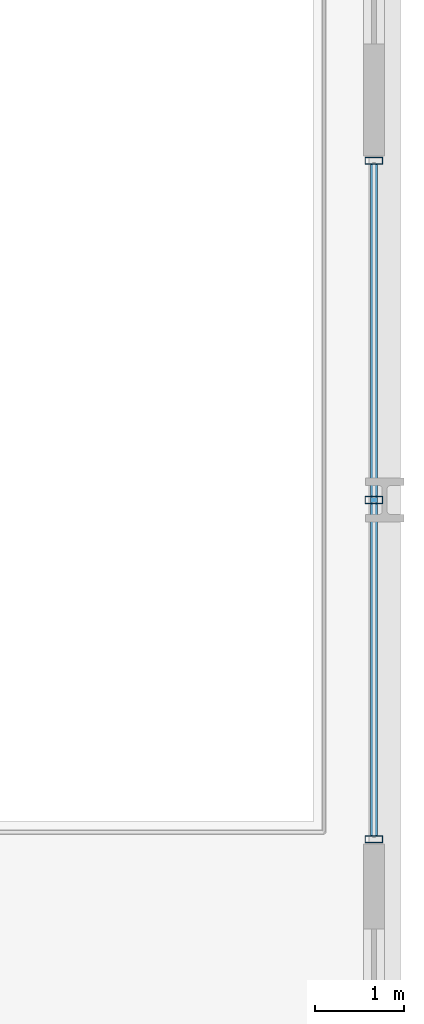
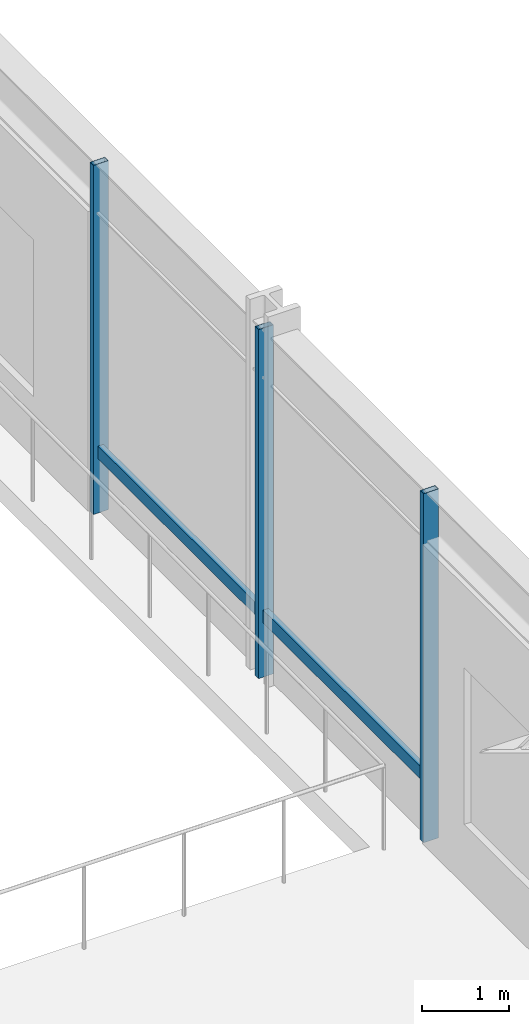
# One storey, part 7 of 19: 4 members, 1 element without a shape of its own.
"""IFC4 building model written with IfcOpenShell, lengths in metres."""

from ifc_helpers import new_model, si_unit, direction, frame, origin, origin_2d, place, context, subcontext, project, spatial, hollow_rectangle, extrude, material, layer, layer_set, material_profile, profile_set, type_object, element, aggregate, save


model = new_model("IFC4")

# Units and contexts
model_context = context("Model", 3, precision=1e-05, world=origin(), true_north=direction((0.0, 1.0)))
body_context = subcontext(model_context, "Body", "Model", "MODEL_VIEW")
ifc_project = project(units=[si_unit("LENGTHUNIT", "METRE"), si_unit("AREAUNIT", "SQUARE_METRE"), si_unit("VOLUMEUNIT", "CUBIC_METRE"), si_unit("PLANEANGLEUNIT", "RADIAN"), si_unit("MASSUNIT", "GRAM", prefix="KILO")], contexts=[model_context])

# Site, building, storey
site_placement = place(None, origin())
site = spatial("IfcSite", under=ifc_project, at=site_placement, CompositionType="ELEMENT")
building_placement = place(site_placement, origin())
building = spatial("IfcBuilding", under=site, at=building_placement, Name="Drelvath Grand Hotel", CompositionType="ELEMENT")
storey_placement = place(building_placement, frame((0.0, 0.0, 17.199951171875)))
storey = spatial("IfcBuildingStorey", under=building, at=storey_placement, Name="L03", CompositionType="ELEMENT", Elevation=17.199951171875)

# Curtain wall, members
ifc_material = material(Name="Dark Bronze Anodised Aluminium Frame", Category="aluminium")
ifc_layer = layer(ifc_material, 0.199951171875)
ifc_layer_set = layer_set([ifc_layer], Name="Dark Bronze Anodised Aluminium Frame")
curtain_wall_type = type_object("IfcCurtainWallType", Name="Stick Curtain Wall CW-01 Dark Bronze Podium", PredefinedType="NOTDEFINED", material=ifc_layer_set)
curtain_wall_placement = place(storey_placement, origin())
curtain_wall = element("IfcCurtainWall", 1, at=curtain_wall_placement, inside=storey, type_object=curtain_wall_type, Name="L03 CW-01 Curtain Wall CW01-L03-EA1", PredefinedType="NOTDEFINED")
ifc_material_profile_1 = material_profile(ifc_material, hollow_rectangle(XDim=0.074951171875, YDim=0.179931640625, WallThickness=0.0048828125, at=origin_2d()), Name="HSS180X75X5")
ifc_profile_set_1 = profile_set([ifc_material_profile_1], Name="Dark Bronze Anodised Aluminium Frame")
member_type_1 = type_object("IfcMemberType", Name="Curtain Wall Horizontal Transom CW-01 HSS180X75X5", PredefinedType="USERDEFINED", material=ifc_profile_set_1)
member_1_placement = place(storey_placement, frame((38.8798828125, 22.360107421875, 0.85009765625), z_axis=(0.0, -1.0, 0.0), x_axis=(1.0, 0.0, 0.0)))
member_1 = element("IfcMember", 2, at=member_1_placement, type_object=member_type_1, Name="CW01-L03-EA1 Sill Transom", ObjectType="TRANSOM", PredefinedType="USERDEFINED", context=body_context, shape_type="SweptSolid", body=[
    extrude(hollow_rectangle(XDim=0.074951171875, YDim=0.179931640625, WallThickness=0.0048828125, at=origin_2d()), origin(), (0.0, 0.0, 1.0), 7.52001953125),
])
ifc_material_profile_2 = material_profile(ifc_material, hollow_rectangle(XDim=0.080078125, YDim=0.199951171875, WallThickness=0.0048828125, at=origin_2d()), Name="HSS200X80X5")
ifc_profile_set_2 = profile_set([ifc_material_profile_2], Name="Dark Bronze Anodised Aluminium Frame")
member_type_2 = type_object("IfcMemberType", Name="Curtain Wall Vertical Mullion CW-01 HSS200X80X5", PredefinedType="MULLION", material=ifc_profile_set_2)
member_2_placement = place(storey_placement, frame((38.8798828125, 22.39990234375, 0.0), z_axis=(0.0, 0.0, 1.0), x_axis=(0.0, 1.0, 0.0)))
member_2 = element("IfcMember", 3, at=member_2_placement, type_object=member_type_2, Name="CW01-L03-EA1 Mullion 1", PredefinedType="MULLION", context=body_context, shape_type="SweptSolid", body=[
    extrude(hollow_rectangle(XDim=0.080078125, YDim=0.199951171875, WallThickness=0.0048828125, at=origin_2d()), origin(), (0.0, 0.0, 1.0), 4.900146484375),
])
member_3_placement = place(storey_placement, frame((38.8798828125, 18.60009765625, 0.0), z_axis=(0.0, 0.0, 1.0), x_axis=(0.0, 1.0, 0.0)))
member_3 = element("IfcMember", 4, at=member_3_placement, type_object=member_type_2, Name="CW01-L03-EA1 Mullion 2", PredefinedType="MULLION", context=body_context, shape_type="SweptSolid", body=[
    extrude(hollow_rectangle(XDim=0.080078125, YDim=0.199951171875, WallThickness=0.0048828125, at=origin_2d()), origin(), (0.0, 0.0, 1.0), 4.900146484375),
])
member_4_placement = place(storey_placement, frame((38.8798828125, 14.800048828125, 0.0), z_axis=(0.0, 0.0, 1.0), x_axis=(0.0, 1.0, 0.0)))
member_4 = element("IfcMember", 5, at=member_4_placement, type_object=member_type_2, Name="CW01-L03-EA1 Mullion 3", PredefinedType="MULLION", context=body_context, shape_type="SweptSolid", body=[
    extrude(hollow_rectangle(XDim=0.080078125, YDim=0.199951171875, WallThickness=0.0048828125, at=origin_2d()), origin(), (0.0, 0.0, 1.0), 4.900146484375),
])
aggregate(curtain_wall, [member_2, member_3, member_4, member_1])

save(model, "model.ifc")
